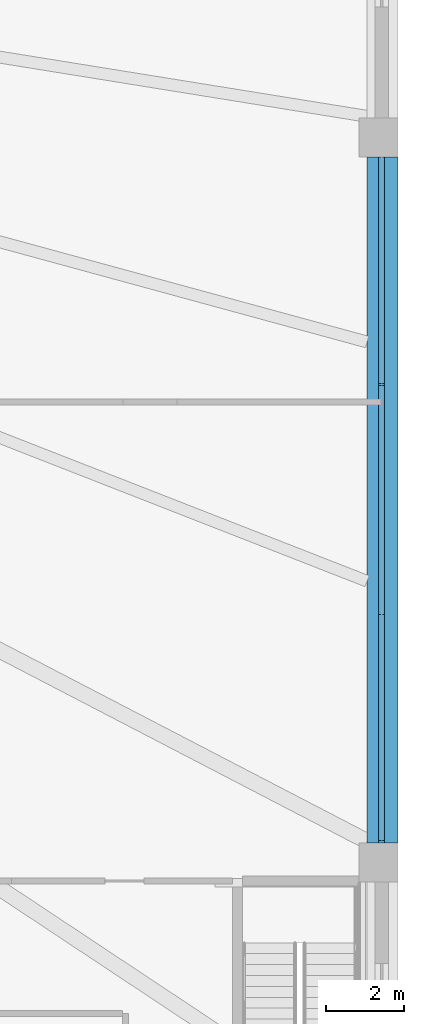
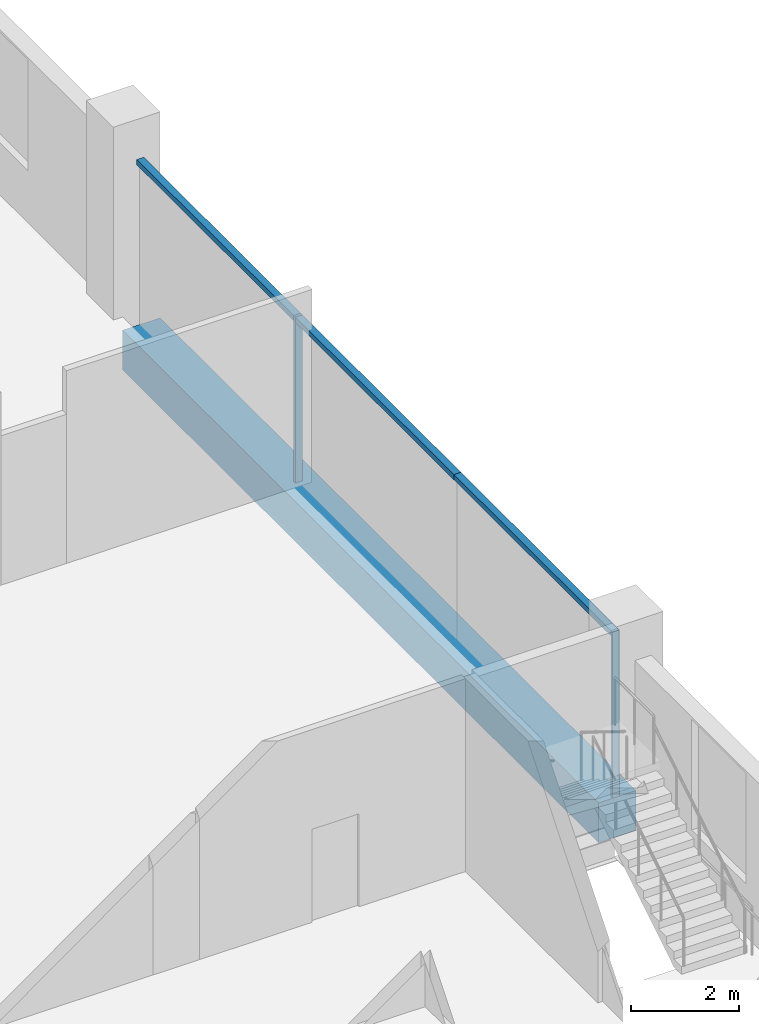
# One storey, part 8 of 33: 5 members, 1 beam, 1 element without a shape of its own.
"""IFC4 building model written with IfcOpenShell, lengths in metres."""

from ifc_helpers import new_model, si_unit, direction, frame, origin, origin_2d, place, context, subcontext, project, spatial, rectangle, extrude, material, layer, layer_set, material_profile, profile_set, type_object, element, aggregate, save


model = new_model("IFC4")

# Units and contexts
model_context = context("Model", 3, precision=1e-05, world=origin(), true_north=direction((0.0, 1.0)))
body_context = subcontext(model_context, "Body", "Model", "MODEL_VIEW")
ifc_project = project(units=[si_unit("LENGTHUNIT", "METRE"), si_unit("AREAUNIT", "SQUARE_METRE"), si_unit("VOLUMEUNIT", "CUBIC_METRE"), si_unit("PLANEANGLEUNIT", "RADIAN"), si_unit("MASSUNIT", "GRAM", prefix="KILO")], contexts=[model_context])

# Site, building, storey
site_placement = place(None, origin())
site = spatial("IfcSite", under=ifc_project, at=site_placement, CompositionType="ELEMENT")
building_placement = place(site_placement, origin())
building = spatial("IfcBuilding", under=site, at=building_placement, Name="Isthmus Gate Tower", CompositionType="ELEMENT")
storey_placement = place(building_placement, frame((0.0, 0.0, 31.5)))
storey = spatial("IfcBuildingStorey", under=building, at=storey_placement, Name="L05", CompositionType="ELEMENT", Elevation=31.5)

# Curtain wall, members
ifc_material_1 = material(Name="Aluminium, pale champagne anodised", Category="aluminium")
ifc_layer = layer(ifc_material_1, 0.14990234375)
ifc_layer_set = layer_set([ifc_layer], Name="CW-3 STOREFRONT CURTAIN WALL 150 DEEP")
curtain_wall_type = type_object("IfcCurtainWallType", Name="CW-3 STOREFRONT CURTAIN WALL 150 DEEP", PredefinedType="NOTDEFINED", material=ifc_layer_set)
curtain_wall_placement = place(storey_placement, origin())
curtain_wall = element("IfcCurtainWall", 1, at=curtain_wall_placement, inside=storey, type_object=curtain_wall_type, Name="CW-3 E L05", PredefinedType="NOTDEFINED")
ifc_material_2 = material(Name="Aluminium, pale champagne anodised", Category="aluminium")
ifc_material_profile_1 = material_profile(ifc_material_2, rectangle(XDim=0.06005859375, YDim=0.14990234375, at=origin_2d()), Name="60x150")
ifc_profile_set_1 = profile_set([ifc_material_profile_1], Name="Aluminium, pale champagne anodised")
member_type_1 = type_object("IfcMemberType", Name="CW-3 MULLION 60 X 150", PredefinedType="MULLION", material=ifc_profile_set_1)
member_1_placement = place(storey_placement, frame((51.574951171875, -26.77001953125, -0.300048828125), z_axis=(0.0, 0.0, 1.0), x_axis=(0.0, 1.0, 0.0)))
member_1 = element("IfcMember", 2, at=member_1_placement, type_object=member_type_1, Name="CW-3 mullion", PredefinedType="MULLION", context=body_context, shape_type="SweptSolid", body=[
    extrude(rectangle(XDim=0.06005859375, YDim=0.14990234375, at=origin_2d()), origin(), (0.0, 0.0, 1.0), 3.75),
])
member_2_placement = place(storey_placement, frame((51.574951171875, -15.03662109375, -0.300048828125), z_axis=(0.0, 0.0, 1.0), x_axis=(0.0, 1.0, 0.0)))
member_2 = element("IfcMember", 3, at=member_2_placement, type_object=member_type_1, Name="CW-3 mullion", PredefinedType="MULLION", context=body_context, shape_type="SweptSolid", body=[
    extrude(rectangle(XDim=0.06005859375, YDim=0.14990234375, at=origin_2d()), origin(), (0.0, 0.0, 1.0), 3.75),
])
ifc_material_3 = material(Name="Aluminium, pale champagne anodised", Category="aluminium")
ifc_material_profile_2 = material_profile(ifc_material_3, rectangle(XDim=0.14990234375, YDim=0.1201171875, at=origin_2d()), Name="150x120")
ifc_profile_set_2 = profile_set([ifc_material_profile_2], Name="Aluminium, pale champagne anodised")
member_type_2 = type_object("IfcMemberType", Name="CW-3 TRANSOM 150 X 120", PredefinedType="USERDEFINED", material=ifc_profile_set_2)
member_3_placement = place(storey_placement, frame((51.574951171875, -26.739990234375, 3.389892578125), z_axis=(0.0, 1.0, 0.0), x_axis=(-1.0, 0.0, 0.0)))
member_3 = element("IfcMember", 4, at=member_3_placement, type_object=member_type_2, Name="CW-3 transom", ObjectType="TRANSOM", PredefinedType="USERDEFINED", context=body_context, shape_type="SweptSolid", body=[
    extrude(rectangle(XDim=0.14990234375, YDim=0.1201171875, at=origin_2d()), origin(), (0.0, 0.0, 1.0), 5.806640625),
])
member_4_placement = place(storey_placement, frame((51.574951171875, -20.933349609375, 3.389892578125), z_axis=(0.0, 1.0, 0.0), x_axis=(-1.0, 0.0, 0.0)))
member_4 = element("IfcMember", 5, at=member_4_placement, type_object=member_type_2, Name="CW-3 transom", ObjectType="TRANSOM", PredefinedType="USERDEFINED", context=body_context, shape_type="SweptSolid", body=[
    extrude(rectangle(XDim=0.14990234375, YDim=0.1201171875, at=origin_2d()), origin(), (0.0, 0.0, 1.0), 5.86669921875),
])
member_5_placement = place(storey_placement, frame((51.574951171875, -15.006591796875, 3.389892578125), z_axis=(0.0, 1.0, 0.0), x_axis=(-1.0, 0.0, 0.0)))
member_5 = element("IfcMember", 6, at=member_5_placement, type_object=member_type_2, Name="CW-3 transom", ObjectType="TRANSOM", PredefinedType="USERDEFINED", context=body_context, shape_type="SweptSolid", body=[
    extrude(rectangle(XDim=0.14990234375, YDim=0.1201171875, at=origin_2d()), origin(), (0.0, 0.0, 1.0), 5.806640625),
])
aggregate(curtain_wall, [member_1, member_3, member_4, member_2, member_5])

# Beam
ifc_material_4 = material(Name="Concrete f'c 70 MPa", Category="concrete")
ifc_material_profile_3 = material_profile(ifc_material_4, rectangle(XDim=0.800048828125, YDim=0.89990234375, at=origin_2d()), Name="RC 800X900")
ifc_profile_set_3 = profile_set([ifc_material_profile_3], Name="Concrete f'c 70 MPa")
beam_type = type_object("IfcBeamType", Name="RC EDGE BEAM 800 X 900", PredefinedType="BEAM", material=ifc_profile_set_3)
beam_placement = place(storey_placement, frame((51.60009765625, -9.199951171875, -0.75), z_axis=(0.0, -1.0, 0.0), x_axis=(1.0, 0.0, 0.0)))
element("IfcBeam", 7, at=beam_placement, inside=storey, type_object=beam_type, Name="str-edgebeam-L05-25", PredefinedType="BEAM", context=body_context, shape_type="SweptSolid", body=[
    extrude(rectangle(XDim=0.800048828125, YDim=0.89990234375, at=origin_2d()), origin(), (0.0, 0.0, 1.0), 17.60009765625),
])

save(model, "model.ifc")
